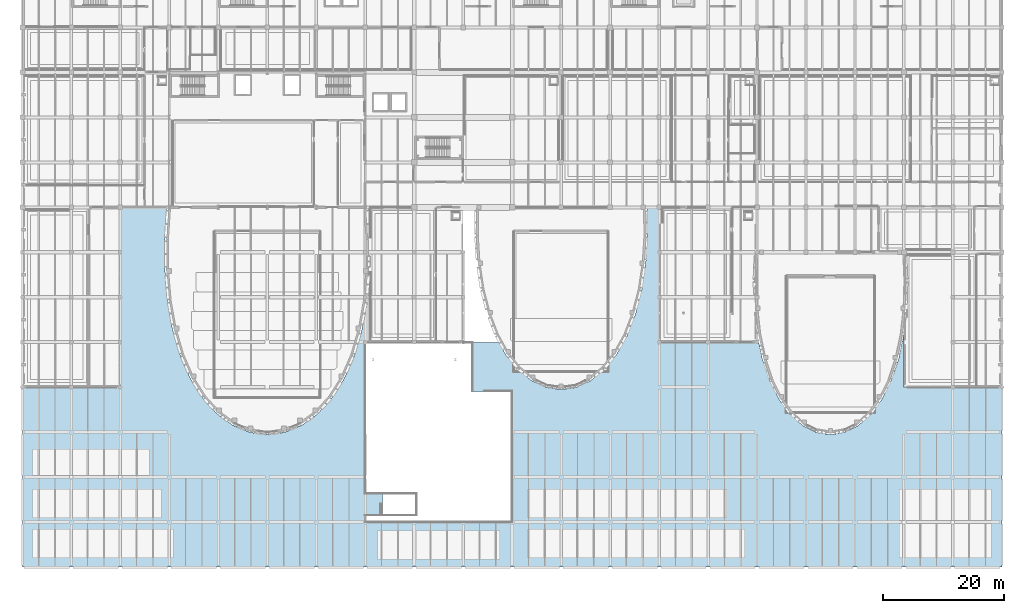
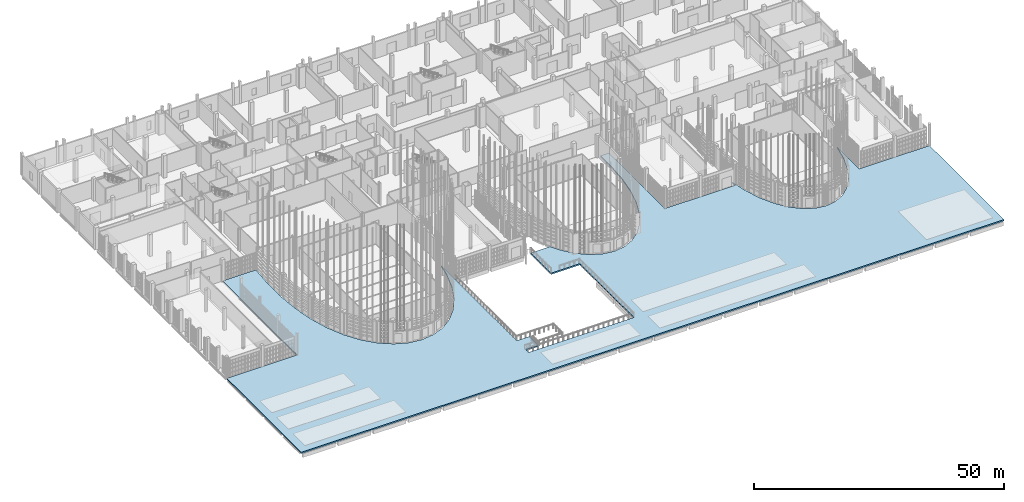
# One storey, part 328 of 372: 1 slab.
"""IFC4 building model written with IfcOpenShell, lengths in metres."""

from ifc_helpers import new_model, si_unit, direction, frame, origin, place, context, subcontext, project, spatial, polyline, outline, extrude, material, layer, layer_set, type_object, element, save


model = new_model("IFC4")

# Units and contexts
model_context = context("Model", 3, precision=1e-05, world=origin(), true_north=direction((0.0, 1.0)))
body_context = subcontext(model_context, "Body", "Model", "MODEL_VIEW")
ifc_project = project(units=[si_unit("LENGTHUNIT", "METRE"), si_unit("AREAUNIT", "SQUARE_METRE"), si_unit("VOLUMEUNIT", "CUBIC_METRE"), si_unit("PLANEANGLEUNIT", "RADIAN"), si_unit("MASSUNIT", "GRAM", prefix="KILO")], contexts=[model_context])

# Site, building, storey
site_placement = place(None, origin())
site = spatial("IfcSite", under=ifc_project, at=site_placement, CompositionType="ELEMENT")
building_placement = place(site_placement, origin())
building = spatial("IfcBuilding", under=site, at=building_placement, Name="Kaelora Sail Theatre", CompositionType="ELEMENT")
storey_placement = place(building_placement, origin())
storey = spatial("IfcBuildingStorey", under=building, at=storey_placement, Name="L00", CompositionType="ELEMENT", Elevation=0.0)

# Slab
ifc_material = material(Name="Concrete C45/55", Category="concrete")
ifc_layer = layer(ifc_material, 0.320068359375)
ifc_layer_set = layer_set([ifc_layer], Name="Concrete C45/55")
slab_type = type_object("IfcSlabType", Name="STR-SLB-SL-FL320", PredefinedType="FLOOR", material=ifc_layer_set)
slab_placement = place(storey_placement, frame((0.0, 0.0, -0.320068359375)))
element("IfcSlab", 1, at=slab_placement, inside=storey, type_object=slab_type, Name="South Landscaped Civic Podium Plaza Deck 1", PredefinedType="FLOOR", context=body_context, shape_type="SweptSolid", body=[
    extrude(outline(polyline([(61.050048828125, 10.050048828125), (58.199951171875, 10.050048828125), (58.199951171875, 8.93994140625), (82.5, 8.93994140625), (82.5, 30.550048828125), (75.85009765625, 30.550048828125), (75.85009765625, 38.679931640625), (80.296142578125, 38.679931640625), (81.458740234375, 36.62255859375), (83.499267578125, 34.14599609375), (85.741455078125, 32.331787109375), (88.13232421875, 31.226318359375), (90.599365234375, 30.85498046875), (93.06494140625, 31.2255859375), (95.45947265625, 32.33251953125), (97.70068359375, 34.14599609375), (99.728759765625, 36.631103515625), (101.482666015625, 39.735107421875), (102.904541015625, 43.385009765625), (103.947509765625, 47.4921875), (104.5849609375, 51.92724609375), (104.826416015625, 56.56494140625), (104.80517578125, 61.0048828125), (106.784912109375, 61.0048828125), (106.784912109375, 38.68505859375), (123.014892578125, 38.68505859375), (123.014892578125, 40.0146484375), (123.880126953125, 35.924072265625), (125.126220703125, 32.2734375), (126.69970703125, 29.17724609375), (128.549560546875, 26.69921875), (130.6220703125, 24.8876953125), (132.84765625, 23.784912109375), (135.149169921875, 23.4150390625), (137.452392578125, 23.784912109375), (139.68017578125, 24.888916015625), (141.749267578125, 26.697998046875), (143.600830078125, 29.178466796875), (145.174560546875, 32.275390625), (146.419921875, 35.924072265625), (147.284912109375, 40.0146484375), (147.284912109375, 31.2451171875), (163.5, 31.2451171875), (163.5, 1.5), (1.5, 1.5), (1.5, 31.2451171875), (17.715087890625, 31.2451171875), (17.715087890625, 61.0048828125), (25.39404296875, 61.0048828125), (25.102294921875, 55.916015625), (25.08935546875, 50.632080078125), (25.499267578125, 45.542724609375), (26.353515625, 40.771484375), (27.6416015625, 36.430908203125), (29.333740234375, 32.61083984375), (31.386962890625, 29.384765625), (33.749267578125, 26.810791015625), (36.3583984375, 24.935791015625), (39.13671875, 23.796875), (41.999267578125, 23.4150390625), (44.86328125, 23.796875), (47.643310546875, 24.9365234375), (50.250732421875, 26.810791015625), (52.613037109375, 29.384765625), (54.666748046875, 32.61181640625), (56.3583984375, 36.430908203125), (57.646240234375, 40.769775390625), (58.18505859375, 43.779296875), (58.199951171875, 13.64990234375), (61.050048828125, 13.64990234375), (61.050048828125, 10.050048828125)])), origin(), (0.0, 0.0, 1.0), 0.320068359375),
])

save(model, "model.ifc")
